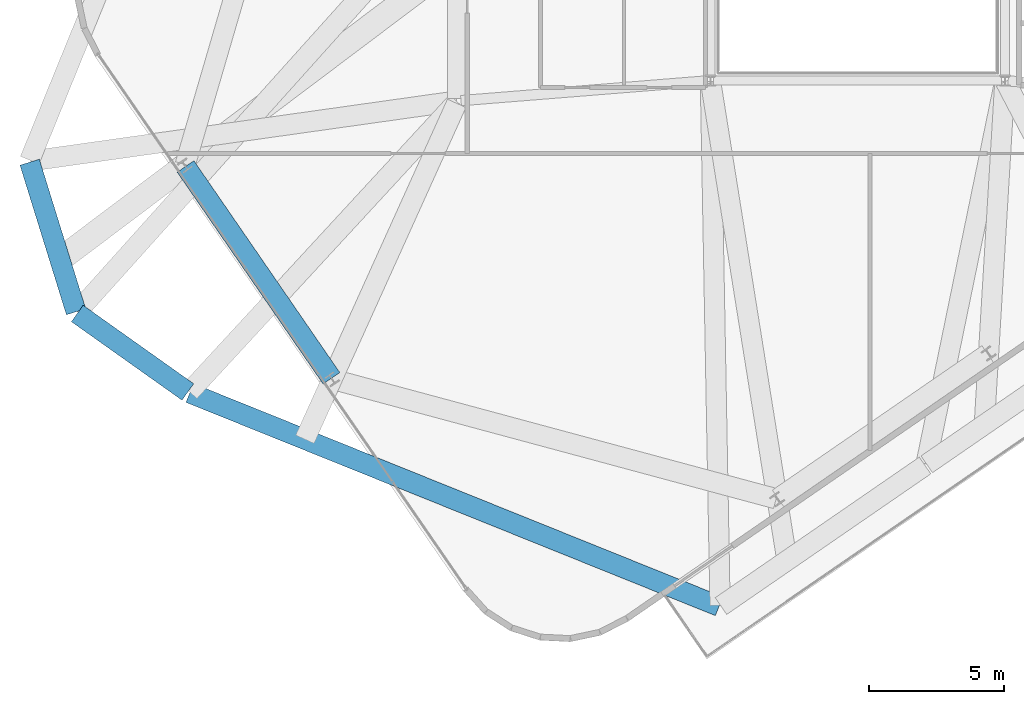
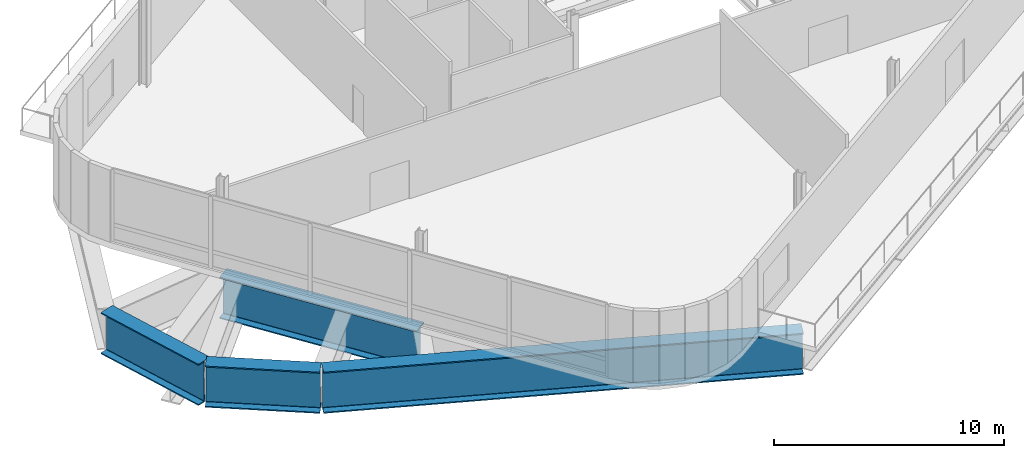
# One storey, part 3 of 18: 4 beams.
"""IFC4 building model written with IfcOpenShell, lengths in metres."""

from ifc_helpers import new_model, si_unit, direction, frame, origin, origin_2d, place, context, subcontext, project, spatial, i_section, extrude, material, material_profile, profile_set, type_object, element, save


model = new_model("IFC4")

# Units and contexts
model_context = context("Model", 3, precision=1e-05, world=origin(), true_north=direction((0.0, 1.0)))
body_context = subcontext(model_context, "Body", "Model", "MODEL_VIEW")
ifc_project = project(units=[si_unit("LENGTHUNIT", "METRE"), si_unit("AREAUNIT", "SQUARE_METRE"), si_unit("VOLUMEUNIT", "CUBIC_METRE"), si_unit("PLANEANGLEUNIT", "RADIAN"), si_unit("MASSUNIT", "GRAM", prefix="KILO")], contexts=[model_context])

# Site, building, storey
site_placement = place(None, origin())
site = spatial("IfcSite", under=ifc_project, at=site_placement, CompositionType="ELEMENT")
building_placement = place(site_placement, origin())
building = spatial("IfcBuilding", under=site, at=building_placement, Name="Varnelok Gate Tower", CompositionType="ELEMENT")
storey_placement = place(building_placement, frame((0.0, 0.0, 296.300048828125)))
storey = spatial("IfcBuildingStorey", under=building, at=storey_placement, Name="L76", CompositionType="ELEMENT", Elevation=296.300048828125)

# Beams
ifc_material = material(Name="Structural Steel ASTM A572 Grade 50", Category="steel")
ifc_material_profile = material_profile(ifc_material, i_section(OverallWidth=0.75, OverallDepth=2.199951171875, WebThickness=0.031982421875, FlangeThickness=0.06005859375, FilletRadius=0.028076171875, at=origin_2d()), Name="PG2200X750")
ifc_profile_set = profile_set([ifc_material_profile], Name="Structural Steel ASTM A572 Grade 50")
beam_type = type_object("IfcBeamType", Name="BM-TR-PG2200", PredefinedType="BEAM", material=ifc_profile_set)
beam_1_placement = place(storey_placement, frame((8.55517578125, 16.5302734375, -1.420166015625), z_axis=(0.29625746333, -0.955108117137, 0.0), x_axis=(0.955108117137, 0.29625746333, 0.0)))
element("IfcBeam", 1, at=beam_1_placement, inside=storey, type_object=beam_type, Name="L76 Transfer Support Ring Girder 14", PredefinedType="BEAM", context=body_context, shape_type="SweptSolid", body=[
    extrude(i_section(OverallWidth=0.75, OverallDepth=2.199951171875, WebThickness=0.031982421875, FlangeThickness=0.06005859375, FilletRadius=0.028076171875, at=origin_2d()), origin(), (0.0, 0.0, 1.0), 5.796630859375),
])
beam_2_placement = place(storey_placement, frame((10.31689453125, 10.9326171875, -1.420166015625), z_axis=(0.815448641484, -0.578829433514, 0.0), x_axis=(0.578829433514, 0.815448641484, 0.0)))
element("IfcBeam", 2, at=beam_2_placement, inside=storey, type_object=beam_type, Name="L76 Transfer Support Ring Girder 15", PredefinedType="BEAM", context=body_context, shape_type="SweptSolid", body=[
    extrude(i_section(OverallWidth=0.75, OverallDepth=2.199951171875, WebThickness=0.031982421875, FlangeThickness=0.06005859375, FilletRadius=0.028076171875, at=origin_2d()), origin(), (0.0, 0.0, 1.0), 5.01953125),
])
beam_3_placement = place(storey_placement, frame((14.47998046875, 7.989013671875, -1.420166015625), z_axis=(0.927540245823, -0.373723283165, 0.0), x_axis=(0.373723283165, 0.927540245823, 0.0)))
element("IfcBeam", 3, at=beam_3_placement, inside=storey, type_object=beam_type, Name="L76 Transfer Support Ring Girder 16", PredefinedType="BEAM", context=body_context, shape_type="SweptSolid", body=[
    extrude(i_section(OverallWidth=0.75, OverallDepth=2.199951171875, WebThickness=0.031982421875, FlangeThickness=0.06005859375, FilletRadius=0.028076171875, at=origin_2d()), origin(), (0.0, 0.0, 1.0), 21.120849609375),
])
beam_4_placement = place(storey_placement, frame((14.323974609375, 16.373291015625, -1.420166015625), z_axis=(0.567265428435, -0.823535022754, 0.0), x_axis=(0.823535022754, 0.567265428435, 0.0)))
element("IfcBeam", 4, at=beam_4_placement, inside=storey, type_object=beam_type, Name="L76 Upper Perimeter Transfer Ring 11", PredefinedType="BEAM", context=body_context, shape_type="SweptSolid", body=[
    extrude(i_section(OverallWidth=0.75, OverallDepth=2.199951171875, WebThickness=0.031982421875, FlangeThickness=0.06005859375, FilletRadius=0.028076171875, at=origin_2d()), origin(), (0.0, 0.0, 1.0), 9.52001953125),
])

save(model, "model.ifc")
